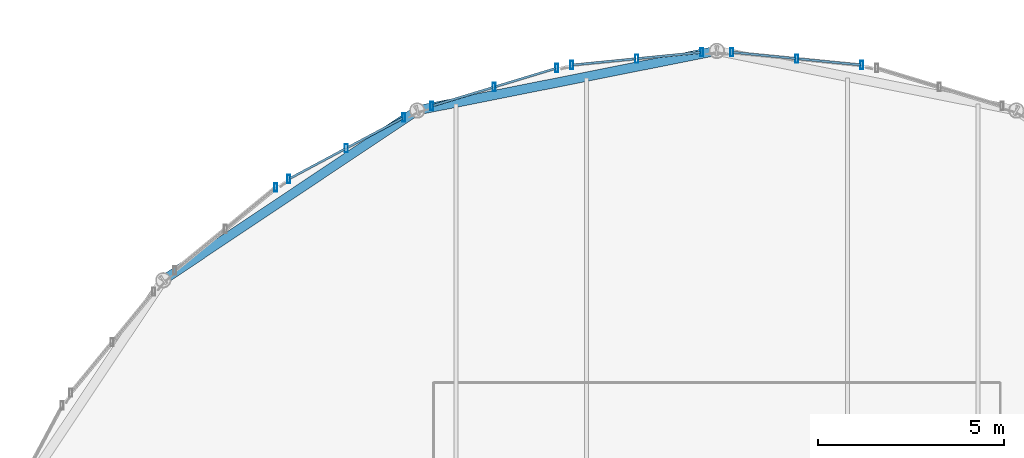
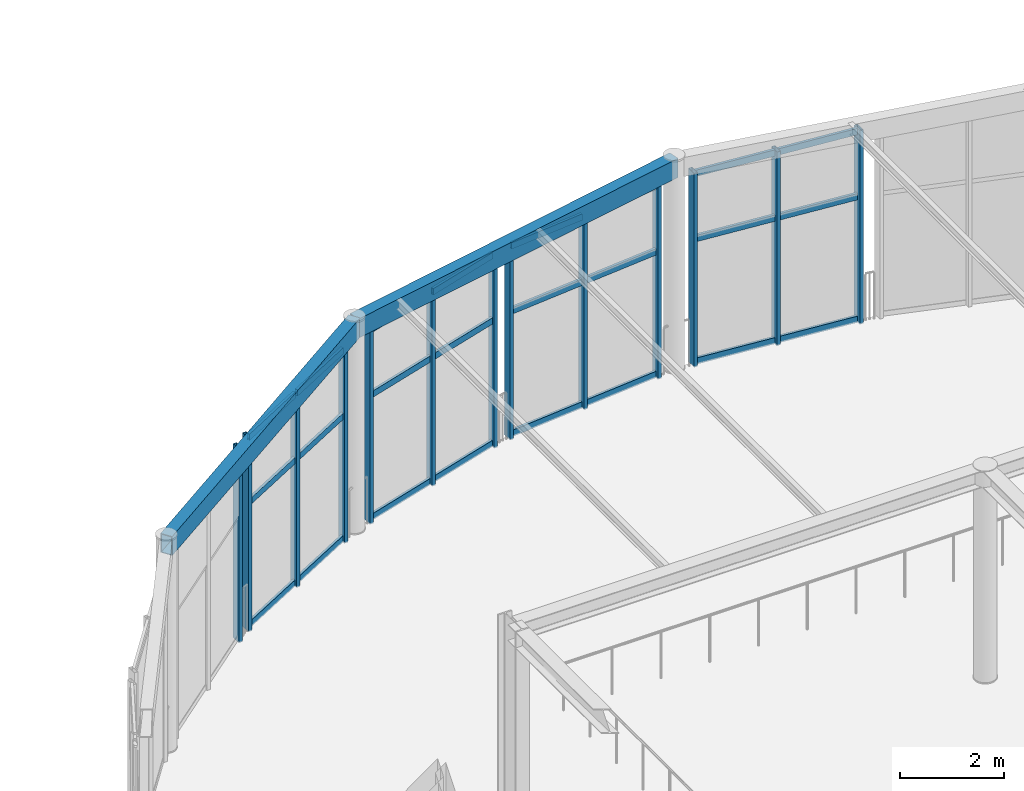
# One storey, part 94 of 195: 37 members, 2 beams, 5 elements without a shape of their own.
"""IFC4 building model written with IfcOpenShell, lengths in metres."""

from ifc_helpers import new_model, si_unit, direction, frame, origin, origin_2d, place, context, subcontext, project, spatial, hollow_rectangle, extrude, material, layer, layer_set, material_profile, profile_set, type_object, element, aggregate, save


model = new_model("IFC4")

# Units and contexts
model_context = context("Model", 3, precision=1e-05, world=origin(), true_north=direction((0.0, 1.0)))
body_context = subcontext(model_context, "Body", "Model", "MODEL_VIEW")
ifc_project = project(units=[si_unit("LENGTHUNIT", "METRE"), si_unit("AREAUNIT", "SQUARE_METRE"), si_unit("VOLUMEUNIT", "CUBIC_METRE"), si_unit("PLANEANGLEUNIT", "RADIAN"), si_unit("MASSUNIT", "GRAM", prefix="KILO")], contexts=[model_context])

# Site, building, storey
site_placement = place(None, origin())
site = spatial("IfcSite", under=ifc_project, at=site_placement, CompositionType="ELEMENT")
building_placement = place(site_placement, origin())
building = spatial("IfcBuilding", under=site, at=building_placement, Name="Marlcrest Central Station", CompositionType="ELEMENT")
storey_placement = place(building_placement, frame((0.0, 0.0, 9.800048828125)))
storey = spatial("IfcBuildingStorey", under=building, at=storey_placement, Name="L02", CompositionType="ELEMENT", Elevation=9.800048828125)

# Curtain wall, member
ifc_material_1 = material(Name="Anodised aluminium and hurricane laminated glass", Category="aluminium")
ifc_layer = layer(ifc_material_1, 0.219970703125, Name="CW-U1")
ifc_layer_set = layer_set([ifc_layer], Name="Anodised aluminium and hurricane laminated glass")
curtain_wall_type = type_object("IfcCurtainWallType", Name="CW-U1", PredefinedType="USERDEFINED", material=ifc_layer_set)
curtain_wall_1_placement = place(storey_placement, origin())
curtain_wall_1 = element("IfcCurtainWall", 1, at=curtain_wall_1_placement, inside=storey, type_object=curtain_wall_type, Name="cw-L02-0071", ObjectType="UNITISED_CURTAIN_WALL", PredefinedType="USERDEFINED")
ifc_material_2 = material(Name="Anodised aluminium 6063-T6", Category="aluminium")
ifc_material_profile_1 = material_profile(ifc_material_2, hollow_rectangle(XDim=0.080078125, YDim=0.219970703125, WallThickness=0.006103515625, at=origin_2d()), Name="AA-RHS 220x80x6")
ifc_profile_set_1 = profile_set([ifc_material_profile_1], Name="Anodised aluminium 6063-T6")
member_type_1 = type_object("IfcMemberType", Name="ML-01", PredefinedType="MULLION", material=ifc_profile_set_1)
member_1_placement = place(storey_placement, frame((96.173828125, 127.830322265625, -0.030029296875), z_axis=(0.0, 0.0, 1.0), x_axis=(1.0, 0.0, 0.0)))
member_1 = element("IfcMember", 2, at=member_1_placement, type_object=member_type_1, Name="cw-L02-0071-ml-2", PredefinedType="MULLION", context=body_context, shape_type="SweptSolid", body=[
    extrude(hollow_rectangle(XDim=0.080078125, YDim=0.219970703125, WallThickness=0.006103515625, at=origin_2d()), origin(), (0.0, 0.0, 1.0), 4.56005859375),
])
aggregate(curtain_wall_1, [member_1])

# Curtain wall, members
curtain_wall_2_placement = place(storey_placement, origin())
curtain_wall_2 = element("IfcCurtainWall", 3, at=curtain_wall_2_placement, inside=storey, type_object=curtain_wall_type, Name="cw-L02-0072", ObjectType="UNITISED_CURTAIN_WALL", PredefinedType="USERDEFINED")
member_2_placement = place(storey_placement, frame((96.514404296875, 128.05810546875, -0.030029296875), z_axis=(0.0, 0.0, 1.0), x_axis=(1.0, 0.0, 0.0)))
member_2 = element("IfcMember", 4, at=member_2_placement, type_object=member_type_1, Name="cw-L02-0072-ml-0", PredefinedType="MULLION", context=body_context, shape_type="SweptSolid", body=[
    extrude(hollow_rectangle(XDim=0.080078125, YDim=0.219970703125, WallThickness=0.006103515625, at=origin_2d()), origin(), (0.0, 0.0, 1.0), 4.56005859375),
])
member_3_placement = place(storey_placement, frame((98.06103515625, 128.88427734375, -0.030029296875), z_axis=(0.0, 0.0, 1.0), x_axis=(1.0, 0.0, 0.0)))
member_3 = element("IfcMember", 5, at=member_3_placement, type_object=member_type_1, Name="cw-L02-0072-ml-1", PredefinedType="MULLION", context=body_context, shape_type="SweptSolid", body=[
    extrude(hollow_rectangle(XDim=0.080078125, YDim=0.219970703125, WallThickness=0.006103515625, at=origin_2d()), origin(), (0.0, 0.0, 1.0), 4.56005859375),
])
member_4_placement = place(storey_placement, frame((99.607666015625, 129.710693359375, -0.030029296875), z_axis=(0.0, 0.0, 1.0), x_axis=(1.0, 0.0, 0.0)))
member_4 = element("IfcMember", 6, at=member_4_placement, type_object=member_type_1, Name="cw-L02-0072-ml-2", PredefinedType="MULLION", context=body_context, shape_type="SweptSolid", body=[
    extrude(hollow_rectangle(XDim=0.080078125, YDim=0.219970703125, WallThickness=0.006103515625, at=origin_2d()), origin(), (0.0, 0.0, 1.0), 4.56005859375),
])

curtain_wall_3_placement = place(storey_placement, origin())
curtain_wall_3 = element("IfcCurtainWall", 7, at=curtain_wall_3_placement, inside=storey, type_object=curtain_wall_type, Name="cw-L02-0073", ObjectType="UNITISED_CURTAIN_WALL", PredefinedType="USERDEFINED")
member_5_placement = place(storey_placement, frame((100.3505859375, 130.018310546875, -0.030029296875), z_axis=(0.0, 0.0, 1.0), x_axis=(1.0, 0.0, 0.0)))
member_5 = element("IfcMember", 8, at=member_5_placement, type_object=member_type_1, Name="cw-L02-0073-ml-0", PredefinedType="MULLION", context=body_context, shape_type="SweptSolid", body=[
    extrude(hollow_rectangle(XDim=0.080078125, YDim=0.219970703125, WallThickness=0.006103515625, at=origin_2d()), origin(), (0.0, 0.0, 1.0), 4.56005859375),
])
member_6_placement = place(storey_placement, frame((102.0283203125, 130.52734375, -0.030029296875), z_axis=(0.0, 0.0, 1.0), x_axis=(1.0, 0.0, 0.0)))
member_6 = element("IfcMember", 9, at=member_6_placement, type_object=member_type_1, Name="cw-L02-0073-ml-1", PredefinedType="MULLION", context=body_context, shape_type="SweptSolid", body=[
    extrude(hollow_rectangle(XDim=0.080078125, YDim=0.219970703125, WallThickness=0.006103515625, at=origin_2d()), origin(), (0.0, 0.0, 1.0), 4.56005859375),
])
member_7_placement = place(storey_placement, frame((103.7060546875, 131.0361328125, -0.030029296875), z_axis=(0.0, 0.0, 1.0), x_axis=(1.0, 0.0, 0.0)))
member_7 = element("IfcMember", 10, at=member_7_placement, type_object=member_type_1, Name="cw-L02-0073-ml-2", PredefinedType="MULLION", context=body_context, shape_type="SweptSolid", body=[
    extrude(hollow_rectangle(XDim=0.080078125, YDim=0.219970703125, WallThickness=0.006103515625, at=origin_2d()), origin(), (0.0, 0.0, 1.0), 4.56005859375),
])

curtain_wall_4_placement = place(storey_placement, origin())
curtain_wall_4 = element("IfcCurtainWall", 11, at=curtain_wall_4_placement, inside=storey, type_object=curtain_wall_type, Name="cw-L02-0074", ObjectType="UNITISED_CURTAIN_WALL", PredefinedType="USERDEFINED")
member_8_placement = place(storey_placement, frame((104.10791015625, 131.1162109375, -0.030029296875), z_axis=(0.0, 0.0, 1.0), x_axis=(1.0, 0.0, 0.0)))
member_8 = element("IfcMember", 12, at=member_8_placement, type_object=member_type_1, Name="cw-L02-0074-ml-0", PredefinedType="MULLION", context=body_context, shape_type="SweptSolid", body=[
    extrude(hollow_rectangle(XDim=0.080078125, YDim=0.219970703125, WallThickness=0.006103515625, at=origin_2d()), origin(), (0.0, 0.0, 1.0), 4.56005859375),
])
member_9_placement = place(storey_placement, frame((105.852783203125, 131.288330078125, -0.030029296875), z_axis=(0.0, 0.0, 1.0), x_axis=(1.0, 0.0, 0.0)))
member_9 = element("IfcMember", 13, at=member_9_placement, type_object=member_type_1, Name="cw-L02-0074-ml-1", PredefinedType="MULLION", context=body_context, shape_type="SweptSolid", body=[
    extrude(hollow_rectangle(XDim=0.080078125, YDim=0.219970703125, WallThickness=0.006103515625, at=origin_2d()), origin(), (0.0, 0.0, 1.0), 4.56005859375),
])
member_10_placement = place(storey_placement, frame((107.597900390625, 131.46044921875, -0.030029296875), z_axis=(0.0, 0.0, 1.0), x_axis=(1.0, 0.0, 0.0)))
member_10 = element("IfcMember", 14, at=member_10_placement, type_object=member_type_1, Name="cw-L02-0074-ml-2", PredefinedType="MULLION", context=body_context, shape_type="SweptSolid", body=[
    extrude(hollow_rectangle(XDim=0.080078125, YDim=0.219970703125, WallThickness=0.006103515625, at=origin_2d()), origin(), (0.0, 0.0, 1.0), 4.56005859375),
])

curtain_wall_5_placement = place(storey_placement, origin())
curtain_wall_5 = element("IfcCurtainWall", 15, at=curtain_wall_5_placement, inside=storey, type_object=curtain_wall_type, Name="cw-L02-0075", ObjectType="UNITISED_CURTAIN_WALL", PredefinedType="USERDEFINED")
member_11_placement = place(storey_placement, frame((108.402099609375, 131.46044921875, -0.030029296875), z_axis=(0.0, 0.0, 1.0), x_axis=(1.0, 0.0, 0.0)))
member_11 = element("IfcMember", 16, at=member_11_placement, type_object=member_type_1, Name="cw-L02-0075-ml-0", PredefinedType="MULLION", context=body_context, shape_type="SweptSolid", body=[
    extrude(hollow_rectangle(XDim=0.080078125, YDim=0.219970703125, WallThickness=0.006103515625, at=origin_2d()), origin(), (0.0, 0.0, 1.0), 4.56005859375),
])
member_12_placement = place(storey_placement, frame((110.147216796875, 131.288330078125, -0.030029296875), z_axis=(0.0, 0.0, 1.0), x_axis=(1.0, 0.0, 0.0)))
member_12 = element("IfcMember", 17, at=member_12_placement, type_object=member_type_1, Name="cw-L02-0075-ml-1", PredefinedType="MULLION", context=body_context, shape_type="SweptSolid", body=[
    extrude(hollow_rectangle(XDim=0.080078125, YDim=0.219970703125, WallThickness=0.006103515625, at=origin_2d()), origin(), (0.0, 0.0, 1.0), 4.56005859375),
])
member_13_placement = place(storey_placement, frame((111.89208984375, 131.1162109375, -0.030029296875), z_axis=(0.0, 0.0, 1.0), x_axis=(1.0, 0.0, 0.0)))
member_13 = element("IfcMember", 18, at=member_13_placement, type_object=member_type_1, Name="cw-L02-0075-ml-2", PredefinedType="MULLION", context=body_context, shape_type="SweptSolid", body=[
    extrude(hollow_rectangle(XDim=0.080078125, YDim=0.219970703125, WallThickness=0.006103515625, at=origin_2d()), origin(), (0.0, 0.0, 1.0), 4.56005859375),
])

# Beams
ifc_material_3 = material(Name="Steel S355", Category="steel")
ifc_material_profile_2 = material_profile(ifc_material_3, hollow_rectangle(XDim=0.25, YDim=0.449951171875, WallThickness=0.01611328125, at=origin_2d()), Name="RHS 450x250x16")
ifc_profile_set_2 = profile_set([ifc_material_profile_2], Name="Steel S355")
beam_type = type_object("IfcBeamType", Name="SP-02", PredefinedType="SPANDREL", material=ifc_profile_set_2)
beam_1_placement = place(storey_placement, frame((93.15087890625, 125.34912109375, 4.77001953125), z_axis=(0.831508991937, 0.55551129271, 0.0), x_axis=(-0.55551129271, 0.831508991937, 0.0)))
element("IfcBeam", 19, at=beam_1_placement, inside=storey, type_object=beam_type, Name="bm-SP-02-L02-01479", PredefinedType="SPANDREL", context=body_context, shape_type="SweptSolid", body=[
    extrude(hollow_rectangle(XDim=0.25, YDim=0.449951171875, WallThickness=0.01611328125, at=origin_2d()), origin(), (0.0, 0.0, 1.0), 8.19384765625),
])
beam_2_placement = place(storey_placement, frame((99.964111328125, 129.90087890625, 4.77001953125), z_axis=(0.980769316421, 0.19517056122, 0.0), x_axis=(-0.19517056122, 0.980769316421, 0.0)))
element("IfcBeam", 20, at=beam_2_placement, inside=storey, type_object=beam_type, Name="bm-SP-02-L02-01480", PredefinedType="SPANDREL", context=body_context, shape_type="SweptSolid", body=[
    extrude(hollow_rectangle(XDim=0.25, YDim=0.449951171875, WallThickness=0.01611328125, at=origin_2d()), origin(), (0.0, 0.0, 1.0), 8.193359375),
])

# Member
ifc_material_profile_3 = material_profile(ifc_material_2, hollow_rectangle(XDim=0.06005859375, YDim=0.14990234375, WallThickness=0.00390625, at=origin_2d()), Name="AA-RHS 150x60x4")
ifc_profile_set_3 = profile_set([ifc_material_profile_3], Name="Anodised aluminium 6063-T6")
member_type_2 = type_object("IfcMemberType", Name="TR-01", PredefinedType="USERDEFINED", material=ifc_profile_set_3)
member_14_placement = place(storey_placement, frame((96.548095703125, 128.075927734375, 0.0400390625), z_axis=(0.881990080976, 0.47126796736, 0.0), x_axis=(-0.47126796736, 0.881990080976, 0.0)))
member_14 = element("IfcMember", 21, at=member_14_placement, type_object=member_type_2, Name="cw-L02-0072-tr-0-sill", ObjectType="TRANSOM", PredefinedType="USERDEFINED", context=body_context, shape_type="SweptSolid", body=[
    extrude(hollow_rectangle(XDim=0.06005859375, YDim=0.14990234375, WallThickness=0.00390625, at=origin_2d()), origin(), (0.0, 0.0, 1.0), 1.677490234375),
])

member_15_placement = place(storey_placement, frame((96.548095703125, 128.075927734375, 2.925048828125), z_axis=(0.881990080976, 0.47126796736, 0.0), x_axis=(-0.47126796736, 0.881990080976, 0.0)))
member_15 = element("IfcMember", 22, at=member_15_placement, type_object=member_type_2, Name="cw-L02-0072-tr-0-mid", ObjectType="TRANSOM", PredefinedType="USERDEFINED", context=body_context, shape_type="SweptSolid", body=[
    extrude(hollow_rectangle(XDim=0.06005859375, YDim=0.14990234375, WallThickness=0.00390625, at=origin_2d()), origin(), (0.0, 0.0, 1.0), 1.677490234375),
])

member_16_placement = place(storey_placement, frame((96.548095703125, 128.075927734375, 4.4599609375), z_axis=(0.881990080976, 0.47126796736, 0.0), x_axis=(-0.47126796736, 0.881990080976, 0.0)))
member_16 = element("IfcMember", 23, at=member_16_placement, type_object=member_type_2, Name="cw-L02-0072-tr-0-head", ObjectType="TRANSOM", PredefinedType="USERDEFINED", context=body_context, shape_type="SweptSolid", body=[
    extrude(hollow_rectangle(XDim=0.06005859375, YDim=0.14990234375, WallThickness=0.00390625, at=origin_2d()), origin(), (0.0, 0.0, 1.0), 1.677490234375),
])

member_17_placement = place(storey_placement, frame((98.094482421875, 128.902099609375, 0.0400390625), z_axis=(0.882022398889, 0.471207478568, 0.0), x_axis=(-0.471207478568, 0.882022398889, 0.0)))
member_17 = element("IfcMember", 24, at=member_17_placement, type_object=member_type_2, Name="cw-L02-0072-tr-1-sill", ObjectType="TRANSOM", PredefinedType="USERDEFINED", context=body_context, shape_type="SweptSolid", body=[
    extrude(hollow_rectangle(XDim=0.06005859375, YDim=0.14990234375, WallThickness=0.00390625, at=origin_2d()), origin(), (0.0, 0.0, 1.0), 1.677734375),
])

member_18_placement = place(storey_placement, frame((98.094482421875, 128.902099609375, 2.925048828125), z_axis=(0.882022398889, 0.471207478568, 0.0), x_axis=(-0.471207478568, 0.882022398889, 0.0)))
member_18 = element("IfcMember", 25, at=member_18_placement, type_object=member_type_2, Name="cw-L02-0072-tr-1-mid", ObjectType="TRANSOM", PredefinedType="USERDEFINED", context=body_context, shape_type="SweptSolid", body=[
    extrude(hollow_rectangle(XDim=0.06005859375, YDim=0.14990234375, WallThickness=0.00390625, at=origin_2d()), origin(), (0.0, 0.0, 1.0), 1.677734375),
])

member_19_placement = place(storey_placement, frame((98.094482421875, 128.902099609375, 4.4599609375), z_axis=(0.882022398889, 0.471207478568, 0.0), x_axis=(-0.471207478568, 0.882022398889, 0.0)))
member_19 = element("IfcMember", 26, at=member_19_placement, type_object=member_type_2, Name="cw-L02-0072-tr-1-head", ObjectType="TRANSOM", PredefinedType="USERDEFINED", context=body_context, shape_type="SweptSolid", body=[
    extrude(hollow_rectangle(XDim=0.06005859375, YDim=0.14990234375, WallThickness=0.00390625, at=origin_2d()), origin(), (0.0, 0.0, 1.0), 1.677734375),
])

aggregate(curtain_wall_2, [member_2, member_3, member_4, member_14, member_15, member_16, member_17, member_18, member_19])

member_20_placement = place(storey_placement, frame((100.386962890625, 130.029296875, 0.0400390625), z_axis=(0.95694846695, 0.29025787087, 0.0), x_axis=(-0.29025787087, 0.95694846695, 0.0)))
member_20 = element("IfcMember", 27, at=member_20_placement, type_object=member_type_2, Name="cw-L02-0073-tr-0-sill", ObjectType="TRANSOM", PredefinedType="USERDEFINED", context=body_context, shape_type="SweptSolid", body=[
    extrude(hollow_rectangle(XDim=0.06005859375, YDim=0.14990234375, WallThickness=0.00390625, at=origin_2d()), origin(), (0.0, 0.0, 1.0), 1.67724609375),
])

member_21_placement = place(storey_placement, frame((100.386962890625, 130.029296875, 2.925048828125), z_axis=(0.95694846695, 0.29025787087, 0.0), x_axis=(-0.29025787087, 0.95694846695, 0.0)))
member_21 = element("IfcMember", 28, at=member_21_placement, type_object=member_type_2, Name="cw-L02-0073-tr-0-mid", ObjectType="TRANSOM", PredefinedType="USERDEFINED", context=body_context, shape_type="SweptSolid", body=[
    extrude(hollow_rectangle(XDim=0.06005859375, YDim=0.14990234375, WallThickness=0.00390625, at=origin_2d()), origin(), (0.0, 0.0, 1.0), 1.67724609375),
])

member_22_placement = place(storey_placement, frame((100.386962890625, 130.029296875, 4.4599609375), z_axis=(0.95694846695, 0.29025787087, 0.0), x_axis=(-0.29025787087, 0.95694846695, 0.0)))
member_22 = element("IfcMember", 29, at=member_22_placement, type_object=member_type_2, Name="cw-L02-0073-tr-0-head", ObjectType="TRANSOM", PredefinedType="USERDEFINED", context=body_context, shape_type="SweptSolid", body=[
    extrude(hollow_rectangle(XDim=0.06005859375, YDim=0.14990234375, WallThickness=0.00390625, at=origin_2d()), origin(), (0.0, 0.0, 1.0), 1.67724609375),
])

member_23_placement = place(storey_placement, frame((102.064697265625, 130.538330078125, 0.0400390625), z_axis=(0.95694846695, 0.29025787087, 0.0), x_axis=(-0.29025787087, 0.95694846695, 0.0)))
member_23 = element("IfcMember", 30, at=member_23_placement, type_object=member_type_2, Name="cw-L02-0073-tr-1-sill", ObjectType="TRANSOM", PredefinedType="USERDEFINED", context=body_context, shape_type="SweptSolid", body=[
    extrude(hollow_rectangle(XDim=0.06005859375, YDim=0.14990234375, WallThickness=0.00390625, at=origin_2d()), origin(), (0.0, 0.0, 1.0), 1.67724609375),
])

member_24_placement = place(storey_placement, frame((102.064697265625, 130.538330078125, 2.925048828125), z_axis=(0.95694846695, 0.29025787087, 0.0), x_axis=(-0.29025787087, 0.95694846695, 0.0)))
member_24 = element("IfcMember", 31, at=member_24_placement, type_object=member_type_2, Name="cw-L02-0073-tr-1-mid", ObjectType="TRANSOM", PredefinedType="USERDEFINED", context=body_context, shape_type="SweptSolid", body=[
    extrude(hollow_rectangle(XDim=0.06005859375, YDim=0.14990234375, WallThickness=0.00390625, at=origin_2d()), origin(), (0.0, 0.0, 1.0), 1.67724609375),
])

member_25_placement = place(storey_placement, frame((102.064697265625, 130.538330078125, 4.4599609375), z_axis=(0.95694846695, 0.29025787087, 0.0), x_axis=(-0.29025787087, 0.95694846695, 0.0)))
member_25 = element("IfcMember", 32, at=member_25_placement, type_object=member_type_2, Name="cw-L02-0073-tr-1-head", ObjectType="TRANSOM", PredefinedType="USERDEFINED", context=body_context, shape_type="SweptSolid", body=[
    extrude(hollow_rectangle(XDim=0.06005859375, YDim=0.14990234375, WallThickness=0.00390625, at=origin_2d()), origin(), (0.0, 0.0, 1.0), 1.67724609375),
])

aggregate(curtain_wall_3, [member_5, member_6, member_7, member_20, member_21, member_22, member_23, member_24, member_25])

member_26_placement = place(storey_placement, frame((104.145751953125, 131.119873046875, 0.0400390625), z_axis=(0.99517740164, 0.098091484163, 0.0), x_axis=(-0.098091484163, 0.99517740164, 0.0)))
member_26 = element("IfcMember", 33, at=member_26_placement, type_object=member_type_2, Name="cw-L02-0074-tr-0-sill", ObjectType="TRANSOM", PredefinedType="USERDEFINED", context=body_context, shape_type="SweptSolid", body=[
    extrude(hollow_rectangle(XDim=0.06005859375, YDim=0.14990234375, WallThickness=0.00390625, at=origin_2d()), origin(), (0.0, 0.0, 1.0), 1.677490234375),
])

member_27_placement = place(storey_placement, frame((104.145751953125, 131.119873046875, 2.925048828125), z_axis=(0.99517740164, 0.098091484163, 0.0), x_axis=(-0.098091484163, 0.99517740164, 0.0)))
member_27 = element("IfcMember", 34, at=member_27_placement, type_object=member_type_2, Name="cw-L02-0074-tr-0-mid", ObjectType="TRANSOM", PredefinedType="USERDEFINED", context=body_context, shape_type="SweptSolid", body=[
    extrude(hollow_rectangle(XDim=0.06005859375, YDim=0.14990234375, WallThickness=0.00390625, at=origin_2d()), origin(), (0.0, 0.0, 1.0), 1.677490234375),
])

member_28_placement = place(storey_placement, frame((104.145751953125, 131.119873046875, 4.4599609375), z_axis=(0.99517740164, 0.098091484163, 0.0), x_axis=(-0.098091484163, 0.99517740164, 0.0)))
member_28 = element("IfcMember", 35, at=member_28_placement, type_object=member_type_2, Name="cw-L02-0074-tr-0-head", ObjectType="TRANSOM", PredefinedType="USERDEFINED", context=body_context, shape_type="SweptSolid", body=[
    extrude(hollow_rectangle(XDim=0.06005859375, YDim=0.14990234375, WallThickness=0.00390625, at=origin_2d()), origin(), (0.0, 0.0, 1.0), 1.677490234375),
])

member_29_placement = place(storey_placement, frame((105.890625, 131.2919921875, 0.0400390625), z_axis=(0.99517740164, 0.098091484163, 0.0), x_axis=(-0.098091484163, 0.99517740164, 0.0)))
member_29 = element("IfcMember", 36, at=member_29_placement, type_object=member_type_2, Name="cw-L02-0074-tr-1-sill", ObjectType="TRANSOM", PredefinedType="USERDEFINED", context=body_context, shape_type="SweptSolid", body=[
    extrude(hollow_rectangle(XDim=0.06005859375, YDim=0.14990234375, WallThickness=0.00390625, at=origin_2d()), origin(), (0.0, 0.0, 1.0), 1.677490234375),
])

member_30_placement = place(storey_placement, frame((105.890625, 131.2919921875, 2.925048828125), z_axis=(0.99517740164, 0.098091484163, 0.0), x_axis=(-0.098091484163, 0.99517740164, 0.0)))
member_30 = element("IfcMember", 37, at=member_30_placement, type_object=member_type_2, Name="cw-L02-0074-tr-1-mid", ObjectType="TRANSOM", PredefinedType="USERDEFINED", context=body_context, shape_type="SweptSolid", body=[
    extrude(hollow_rectangle(XDim=0.06005859375, YDim=0.14990234375, WallThickness=0.00390625, at=origin_2d()), origin(), (0.0, 0.0, 1.0), 1.677490234375),
])

member_31_placement = place(storey_placement, frame((105.890625, 131.2919921875, 4.4599609375), z_axis=(0.99517740164, 0.098091484163, 0.0), x_axis=(-0.098091484163, 0.99517740164, 0.0)))
member_31 = element("IfcMember", 38, at=member_31_placement, type_object=member_type_2, Name="cw-L02-0074-tr-1-head", ObjectType="TRANSOM", PredefinedType="USERDEFINED", context=body_context, shape_type="SweptSolid", body=[
    extrude(hollow_rectangle(XDim=0.06005859375, YDim=0.14990234375, WallThickness=0.00390625, at=origin_2d()), origin(), (0.0, 0.0, 1.0), 1.677490234375),
])

aggregate(curtain_wall_4, [member_8, member_9, member_10, member_26, member_27, member_28, member_29, member_30, member_31])

member_32_placement = place(storey_placement, frame((108.43994140625, 131.45654296875, 0.0400390625), z_axis=(0.99517740164, -0.098091484163, 0.0), x_axis=(0.098091484163, 0.99517740164, 0.0)))
member_32 = element("IfcMember", 39, at=member_32_placement, type_object=member_type_2, Name="cw-L02-0075-tr-0-sill", ObjectType="TRANSOM", PredefinedType="USERDEFINED", context=body_context, shape_type="SweptSolid", body=[
    extrude(hollow_rectangle(XDim=0.06005859375, YDim=0.14990234375, WallThickness=0.00390625, at=origin_2d()), origin(), (0.0, 0.0, 1.0), 1.677490234375),
])

member_33_placement = place(storey_placement, frame((108.43994140625, 131.45654296875, 2.925048828125), z_axis=(0.99517740164, -0.098091484163, 0.0), x_axis=(0.098091484163, 0.99517740164, 0.0)))
member_33 = element("IfcMember", 40, at=member_33_placement, type_object=member_type_2, Name="cw-L02-0075-tr-0-mid", ObjectType="TRANSOM", PredefinedType="USERDEFINED", context=body_context, shape_type="SweptSolid", body=[
    extrude(hollow_rectangle(XDim=0.06005859375, YDim=0.14990234375, WallThickness=0.00390625, at=origin_2d()), origin(), (0.0, 0.0, 1.0), 1.677490234375),
])

member_34_placement = place(storey_placement, frame((108.43994140625, 131.45654296875, 4.4599609375), z_axis=(0.99517740164, -0.098091484163, 0.0), x_axis=(0.098091484163, 0.99517740164, 0.0)))
member_34 = element("IfcMember", 41, at=member_34_placement, type_object=member_type_2, Name="cw-L02-0075-tr-0-head", ObjectType="TRANSOM", PredefinedType="USERDEFINED", context=body_context, shape_type="SweptSolid", body=[
    extrude(hollow_rectangle(XDim=0.06005859375, YDim=0.14990234375, WallThickness=0.00390625, at=origin_2d()), origin(), (0.0, 0.0, 1.0), 1.677490234375),
])

member_35_placement = place(storey_placement, frame((110.184814453125, 131.284423828125, 0.0400390625), z_axis=(0.99517740164, -0.098091484163, 0.0), x_axis=(0.098091484163, 0.99517740164, 0.0)))
member_35 = element("IfcMember", 42, at=member_35_placement, type_object=member_type_2, Name="cw-L02-0075-tr-1-sill", ObjectType="TRANSOM", PredefinedType="USERDEFINED", context=body_context, shape_type="SweptSolid", body=[
    extrude(hollow_rectangle(XDim=0.06005859375, YDim=0.14990234375, WallThickness=0.00390625, at=origin_2d()), origin(), (0.0, 0.0, 1.0), 1.677490234375),
])

member_36_placement = place(storey_placement, frame((110.184814453125, 131.284423828125, 2.925048828125), z_axis=(0.99517740164, -0.098091484163, 0.0), x_axis=(0.098091484163, 0.99517740164, 0.0)))
member_36 = element("IfcMember", 43, at=member_36_placement, type_object=member_type_2, Name="cw-L02-0075-tr-1-mid", ObjectType="TRANSOM", PredefinedType="USERDEFINED", context=body_context, shape_type="SweptSolid", body=[
    extrude(hollow_rectangle(XDim=0.06005859375, YDim=0.14990234375, WallThickness=0.00390625, at=origin_2d()), origin(), (0.0, 0.0, 1.0), 1.677490234375),
])

member_37_placement = place(storey_placement, frame((110.184814453125, 131.284423828125, 4.4599609375), z_axis=(0.99517740164, -0.098091484163, 0.0), x_axis=(0.098091484163, 0.99517740164, 0.0)))
member_37 = element("IfcMember", 44, at=member_37_placement, type_object=member_type_2, Name="cw-L02-0075-tr-1-head", ObjectType="TRANSOM", PredefinedType="USERDEFINED", context=body_context, shape_type="SweptSolid", body=[
    extrude(hollow_rectangle(XDim=0.06005859375, YDim=0.14990234375, WallThickness=0.00390625, at=origin_2d()), origin(), (0.0, 0.0, 1.0), 1.677490234375),
])

aggregate(curtain_wall_5, [member_11, member_12, member_13, member_32, member_33, member_34, member_35, member_36, member_37])

save(model, "model.ifc")
